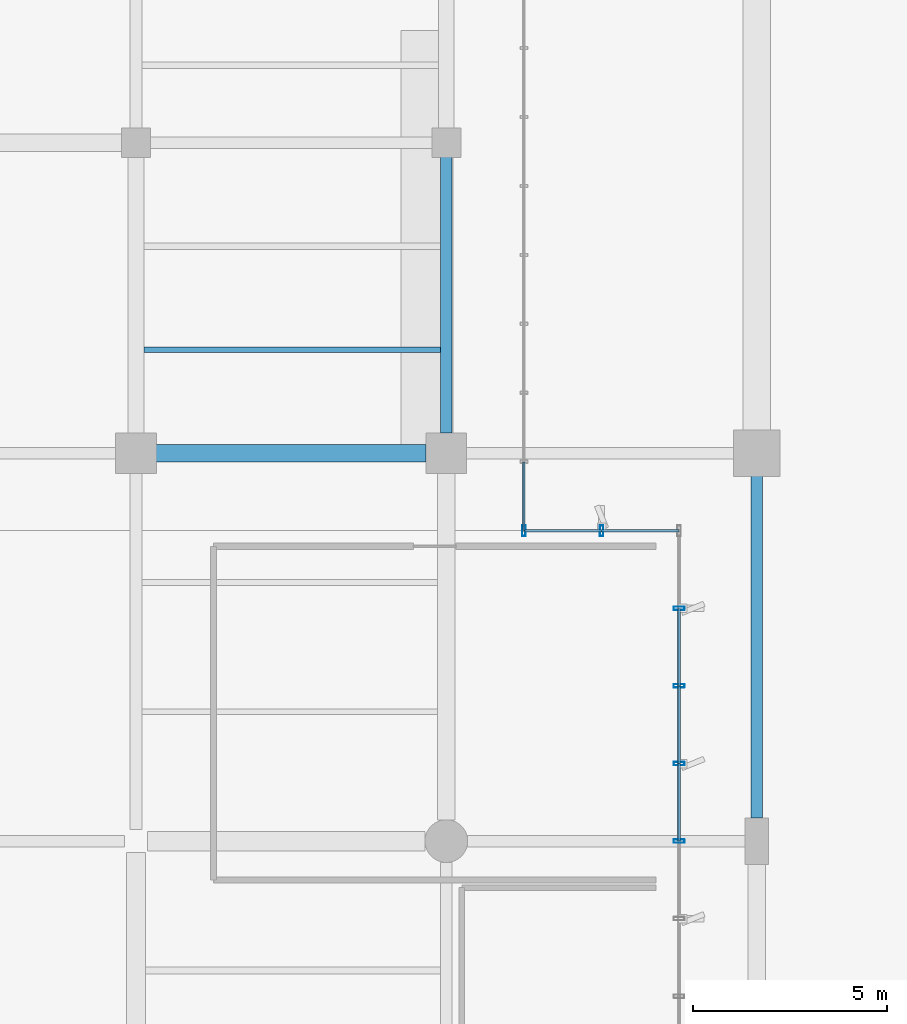
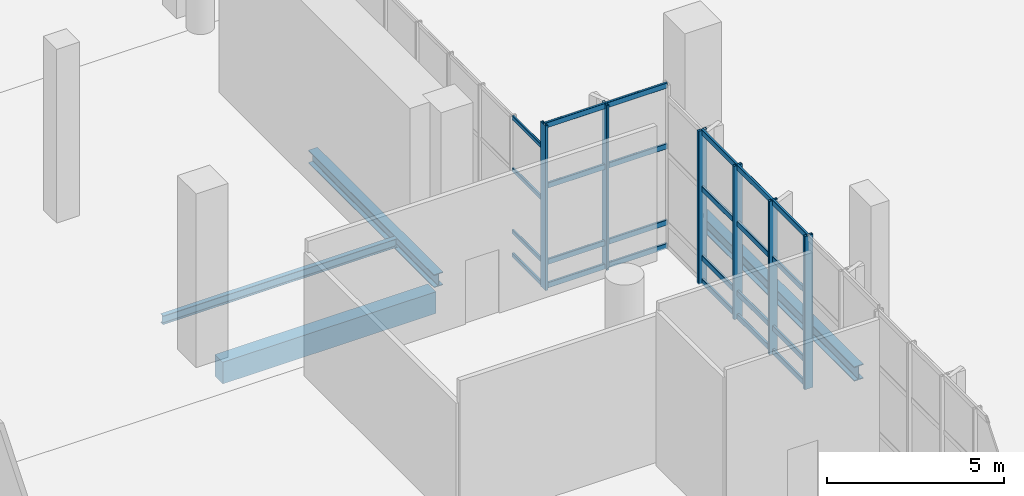
# One storey, part 96 of 163: 30 members, 4 beams, 3 elements without a shape of their own.
"""IFC4 building model written with IfcOpenShell, lengths in metres."""

from ifc_helpers import new_model, si_unit, direction, frame, origin, origin_2d, place, context, subcontext, project, spatial, rectangle, hollow_rectangle, i_section, extrude, material, layer, layer_set, material_profile, profile_set, type_object, element, aggregate, save


model = new_model("IFC4")

# Units and contexts
model_context = context("Model", 3, precision=1e-05, world=origin(), true_north=direction((0.0, 1.0)))
body_context = subcontext(model_context, "Body", "Model", "MODEL_VIEW")
ifc_project = project(units=[si_unit("LENGTHUNIT", "METRE"), si_unit("AREAUNIT", "SQUARE_METRE"), si_unit("VOLUMEUNIT", "CUBIC_METRE"), si_unit("PLANEANGLEUNIT", "RADIAN"), si_unit("MASSUNIT", "GRAM", prefix="KILO")], contexts=[model_context])

# Site, building, storey
site_placement = place(None, origin())
site = spatial("IfcSite", under=ifc_project, at=site_placement, CompositionType="ELEMENT")
building_placement = place(site_placement, origin())
building = spatial("IfcBuilding", under=site, at=building_placement, Name="Khorjan Park Terminus", CompositionType="ELEMENT")
storey_placement = place(building_placement, origin())
storey = spatial("IfcBuildingStorey", under=building, at=storey_placement, Name="L00", CompositionType="ELEMENT", Elevation=0.0)

# Beams
ifc_material_1 = material(Name="Steel S355", Category="steel")
ifc_material_profile_1 = material_profile(ifc_material_1, i_section(OverallWidth=0.3, OverallDepth=0.45, WebThickness=0.014, FlangeThickness=0.026, FilletRadius=0.027, at=origin_2d()), Name="HEB 450")
ifc_profile_set_1 = profile_set([ifc_material_profile_1], Name="Steel S355")
beam_type_1 = type_object("IfcBeamType", Name="BM-HEB450", PredefinedType="BEAM", material=ifc_profile_set_1)
beam_1_placement = place(storey_placement, frame((128.0, 88.52, -0.585), z_axis=(0.0, 1.0, 0.0), x_axis=(-1.0, 0.0, 0.0)))
element("IfcBeam", 1, at=beam_1_placement, inside=storey, type_object=beam_type_1, Name="Primary floor girder SB-B45 (L00)", PredefinedType="BEAM", context=body_context, shape_type="SweptSolid", body=[
    extrude(i_section(OverallWidth=0.3, OverallDepth=0.45, WebThickness=0.014, FlangeThickness=0.026, FilletRadius=0.027, at=origin_2d()), origin(), (0.0, 0.0, 1.0), 7.11),
])
ifc_material_profile_2 = material_profile(ifc_material_1, i_section(OverallWidth=0.3, OverallDepth=0.5, WebThickness=0.0145, FlangeThickness=0.028, FilletRadius=0.027, at=origin_2d()), Name="HEB 500")
ifc_profile_set_2 = profile_set([ifc_material_profile_2], Name="Steel S355")
beam_type_2 = type_object("IfcBeamType", Name="BM-HEB500", PredefinedType="BEAM", material=ifc_profile_set_2)
beam_2_placement = place(storey_placement, frame((136.0, 78.595, -0.57), z_axis=(0.0, 1.0, 0.0), x_axis=(-1.0, 0.0, 0.0)))
element("IfcBeam", 2, at=beam_2_placement, inside=storey, type_object=beam_type_2, Name="Primary floor girder SB-B50 (L00)", PredefinedType="BEAM", context=body_context, shape_type="SweptSolid", body=[
    extrude(i_section(OverallWidth=0.3, OverallDepth=0.5, WebThickness=0.0145, FlangeThickness=0.028, FilletRadius=0.027, at=origin_2d()), origin(), (0.0, 0.0, 1.0), 8.81),
])
ifc_material_2 = material(Name="Concrete C40/50", Category="concrete")
ifc_material_profile_3 = material_profile(ifc_material_2, rectangle(XDim=0.45, YDim=0.75, at=origin_2d()), Name="RC 450x750")
ifc_profile_set_3 = profile_set([ifc_material_profile_3], Name="Concrete C40/50")
beam_type_3 = type_object("IfcBeamType", Name="BM-RC450x750", PredefinedType="BEAM", material=ifc_profile_set_3)
beam_3_placement = place(storey_placement, frame((120.52, 88.0, -0.735), z_axis=(1.0, 0.0, 0.0), x_axis=(0.0, 1.0, 0.0)))
element("IfcBeam", 3, at=beam_3_placement, inside=storey, type_object=beam_type_3, Name="Primary floor girder GB-75 (L00)", PredefinedType="BEAM", context=body_context, shape_type="SweptSolid", body=[
    extrude(rectangle(XDim=0.45, YDim=0.75, at=origin_2d()), origin(), (0.0, 0.0, 1.0), 6.96),
])
ifc_material_profile_4 = material_profile(ifc_material_1, i_section(OverallWidth=0.15, OverallDepth=0.3, WebThickness=0.0071, FlangeThickness=0.0107, FilletRadius=0.015, at=origin_2d()), Name="IPE 300")
ifc_profile_set_4 = profile_set([ifc_material_profile_4], Name="Steel S355")
beam_type_4 = type_object("IfcBeamType", Name="JS-IPE300", PredefinedType="JOIST", material=ifc_profile_set_4)
beam_4_placement = place(storey_placement, frame((120.2, 90.6667, -0.51), z_axis=(1.0, 0.0, 0.0), x_axis=(0.0, 1.0, 0.0)))
element("IfcBeam", 4, at=beam_4_placement, inside=storey, type_object=beam_type_4, Name="Secondary composite floor joist SJ-30 (L00)", PredefinedType="JOIST", context=body_context, shape_type="SweptSolid", body=[
    extrude(i_section(OverallWidth=0.15, OverallDepth=0.3, WebThickness=0.0071, FlangeThickness=0.0107, FilletRadius=0.015, at=origin_2d()), origin(), (0.0, 0.0, 1.0), 7.65),
])

# Curtain wall, members
ifc_material_3 = material(Name="Anodized Bronze Aluminium", Category="aluminium")
ifc_layer_1 = layer(ifc_material_3, 0.22)
ifc_layer_set_1 = layer_set([ifc_layer_1], Name="Anodized Bronze Aluminium")
curtain_wall_type_1 = type_object("IfcCurtainWallType", Name="CW-CONC-A", PredefinedType="NOTDEFINED", material=ifc_layer_set_1)
curtain_wall_1_placement = place(storey_placement, origin())
curtain_wall_1 = element("IfcCurtainWall", 5, at=curtain_wall_1_placement, inside=storey, type_object=curtain_wall_type_1, Name="Unitized curtain wall CW-A (CW-V2-N-L00-08)", PredefinedType="NOTDEFINED")
ifc_material_profile_5 = material_profile(ifc_material_3, hollow_rectangle(XDim=0.09, YDim=0.28, WallThickness=0.006, InnerFilletRadius=0.006, OuterFilletRadius=0.012, at=origin_2d()), Name="ALM 90x280x6")
ifc_profile_set_5 = profile_set([ifc_material_profile_5], Name="Anodized Bronze Aluminium")
member_type_1 = type_object("IfcMemberType", Name="ML-ALM-280", PredefinedType="MULLION", material=ifc_profile_set_5)
member_1_placement = place(storey_placement, frame((132.0, 86.0, -0.035), z_axis=(0.0, 0.0, 1.0), x_axis=(-1.0, 0.0, 0.0)))
member_1 = element("IfcMember", 6, at=member_1_placement, type_object=member_type_1, Name="Curtain-wall mullion ML-28 (CW-V2-N-L00-08-1)", PredefinedType="MULLION", context=body_context, shape_type="SweptSolid", body=[
    extrude(hollow_rectangle(XDim=0.09, YDim=0.28, WallThickness=0.006, InnerFilletRadius=0.006, OuterFilletRadius=0.012, at=origin_2d()), origin(), (0.0, 0.0, 1.0), 5.69),
])
member_2_placement = place(storey_placement, frame((130.0, 86.0, -0.035), z_axis=(0.0, 0.0, 1.0), x_axis=(-1.0, 0.0, 0.0)))
member_2 = element("IfcMember", 7, at=member_2_placement, type_object=member_type_1, Name="Curtain-wall mullion ML-28 (CW-V2-N-L00-08-2)", PredefinedType="MULLION", context=body_context, shape_type="SweptSolid", body=[
    extrude(hollow_rectangle(XDim=0.09, YDim=0.28, WallThickness=0.006, InnerFilletRadius=0.006, OuterFilletRadius=0.012, at=origin_2d()), origin(), (0.0, 0.0, 1.0), 5.69),
])

curtain_wall_2_placement = place(storey_placement, origin())
curtain_wall_2 = element("IfcCurtainWall", 8, at=curtain_wall_2_placement, inside=storey, type_object=curtain_wall_type_1, Name="Unitized curtain wall CW-A (CW-V2-E-L00-04)", PredefinedType="NOTDEFINED")
member_3_placement = place(storey_placement, frame((134.0, 78.0, -0.035), z_axis=(0.0, 0.0, 1.0), x_axis=(0.0, 1.0, 0.0)))
member_3 = element("IfcMember", 9, at=member_3_placement, type_object=member_type_1, Name="Curtain-wall mullion ML-28 (CW-V2-E-L00-04-2)", PredefinedType="MULLION", context=body_context, shape_type="SweptSolid", body=[
    extrude(hollow_rectangle(XDim=0.09, YDim=0.28, WallThickness=0.006, InnerFilletRadius=0.006, OuterFilletRadius=0.012, at=origin_2d()), origin(), (0.0, 0.0, 1.0), 5.295),
])
member_4_placement = place(storey_placement, frame((134.0, 80.0, -0.035), z_axis=(0.0, 0.0, 1.0), x_axis=(0.0, 1.0, 0.0)))
member_4 = element("IfcMember", 10, at=member_4_placement, type_object=member_type_1, Name="Curtain-wall mullion ML-28 (CW-V2-E-L00-04-3)", PredefinedType="MULLION", context=body_context, shape_type="SweptSolid", body=[
    extrude(hollow_rectangle(XDim=0.09, YDim=0.28, WallThickness=0.006, InnerFilletRadius=0.006, OuterFilletRadius=0.012, at=origin_2d()), origin(), (0.0, 0.0, 1.0), 5.295),
])
member_5_placement = place(storey_placement, frame((134.0, 82.0, -0.035), z_axis=(0.0, 0.0, 1.0), x_axis=(0.0, 1.0, 0.0)))
member_5 = element("IfcMember", 11, at=member_5_placement, type_object=member_type_1, Name="Curtain-wall mullion ML-28 (CW-V2-E-L00-04-4)", PredefinedType="MULLION", context=body_context, shape_type="SweptSolid", body=[
    extrude(hollow_rectangle(XDim=0.09, YDim=0.28, WallThickness=0.006, InnerFilletRadius=0.006, OuterFilletRadius=0.012, at=origin_2d()), origin(), (0.0, 0.0, 1.0), 5.295),
])
member_6_placement = place(storey_placement, frame((134.0, 84.0, -0.035), z_axis=(0.0, 0.0, 1.0), x_axis=(0.0, 1.0, 0.0)))
member_6 = element("IfcMember", 12, at=member_6_placement, type_object=member_type_1, Name="Curtain-wall mullion ML-28 (CW-V2-E-L00-04-5)", PredefinedType="MULLION", context=body_context, shape_type="SweptSolid", body=[
    extrude(hollow_rectangle(XDim=0.09, YDim=0.28, WallThickness=0.006, InnerFilletRadius=0.006, OuterFilletRadius=0.012, at=origin_2d()), origin(), (0.0, 0.0, 1.0), 5.295),
])

ifc_layer_2 = layer(ifc_material_3, 0.22)
ifc_layer_set_2 = layer_set([ifc_layer_2], Name="Anodized Bronze Aluminium")
curtain_wall_type_2 = type_object("IfcCurtainWallType", Name="CW-BRG-D", PredefinedType="NOTDEFINED", material=ifc_layer_set_2)
curtain_wall_3_placement = place(storey_placement, origin())
curtain_wall_3 = element("IfcCurtainWall", 13, at=curtain_wall_3_placement, inside=storey, type_object=curtain_wall_type_2, Name="Unitized curtain wall CW-D (CW-NKE-E-L00)", PredefinedType="NOTDEFINED")
ifc_material_profile_6 = material_profile(ifc_material_3, hollow_rectangle(XDim=0.065, YDim=0.14, WallThickness=0.004, InnerFilletRadius=0.004, OuterFilletRadius=0.008, at=origin_2d()), Name="ALT 65x140x4")
ifc_profile_set_6 = profile_set([ifc_material_profile_6], Name="Anodized Bronze Aluminium")
member_type_2 = type_object("IfcMemberType", Name="TR-ALT-140", PredefinedType="USERDEFINED", material=ifc_profile_set_6)
member_7_placement = place(storey_placement, frame((130.0, 86.0, 0.04), z_axis=(0.0, 1.0, 0.0), x_axis=(-1.0, 0.0, 0.0)))
member_7 = element("IfcMember", 14, at=member_7_placement, type_object=member_type_2, Name="Curtain-wall transom TR-14 (CW-NKE-E-L00-0-1)", ObjectType="TRANSOM", PredefinedType="USERDEFINED", context=body_context, shape_type="SweptSolid", body=[
    extrude(hollow_rectangle(XDim=0.065, YDim=0.14, WallThickness=0.004, InnerFilletRadius=0.004, OuterFilletRadius=0.008, at=origin_2d()), origin(), (0.0, 0.0, 1.0), 1.7778),
])
member_8_placement = place(storey_placement, frame((130.0, 86.0, 0.85), z_axis=(0.0, 1.0, 0.0), x_axis=(-1.0, 0.0, 0.0)))
member_8 = element("IfcMember", 15, at=member_8_placement, type_object=member_type_2, Name="Curtain-wall transom TR-14 (CW-NKE-E-L00-0-2)", ObjectType="TRANSOM", PredefinedType="USERDEFINED", context=body_context, shape_type="SweptSolid", body=[
    extrude(hollow_rectangle(XDim=0.065, YDim=0.14, WallThickness=0.004, InnerFilletRadius=0.004, OuterFilletRadius=0.008, at=origin_2d()), origin(), (0.0, 0.0, 1.0), 1.7778),
])
member_9_placement = place(storey_placement, frame((130.0, 86.0, 2.9915), z_axis=(0.0, 1.0, 0.0), x_axis=(-1.0, 0.0, 0.0)))
member_9 = element("IfcMember", 16, at=member_9_placement, type_object=member_type_2, Name="Curtain-wall transom TR-14 (CW-NKE-E-L00-0-3)", ObjectType="TRANSOM", PredefinedType="USERDEFINED", context=body_context, shape_type="SweptSolid", body=[
    extrude(hollow_rectangle(XDim=0.065, YDim=0.14, WallThickness=0.004, InnerFilletRadius=0.004, OuterFilletRadius=0.008, at=origin_2d()), origin(), (0.0, 0.0, 1.0), 1.7778),
])
member_10_placement = place(storey_placement, frame((130.0, 86.0, 4.785), z_axis=(0.0, 1.0, 0.0), x_axis=(-1.0, 0.0, 0.0)))
member_10 = element("IfcMember", 17, at=member_10_placement, type_object=member_type_2, Name="Curtain-wall transom TR-14 (CW-NKE-E-L00-0-4)", ObjectType="TRANSOM", PredefinedType="USERDEFINED", context=body_context, shape_type="SweptSolid", body=[
    extrude(hollow_rectangle(XDim=0.065, YDim=0.14, WallThickness=0.004, InnerFilletRadius=0.004, OuterFilletRadius=0.008, at=origin_2d()), origin(), (0.0, 0.0, 1.0), 1.7778),
])
aggregate(curtain_wall_3, [member_7, member_8, member_9, member_10])

# Member
ifc_material_profile_7 = material_profile(ifc_material_3, hollow_rectangle(XDim=0.075, YDim=0.185, WallThickness=0.005, InnerFilletRadius=0.005, OuterFilletRadius=0.01, at=origin_2d()), Name="ALT 75x185x5")
ifc_profile_set_7 = profile_set([ifc_material_profile_7], Name="Anodized Bronze Aluminium")
member_type_3 = type_object("IfcMemberType", Name="TR-ALT-185", PredefinedType="USERDEFINED", material=ifc_profile_set_7)
member_11_placement = place(storey_placement, frame((134.0, 86.0, 0.04), z_axis=(-1.0, 0.0, 0.0), x_axis=(0.0, -1.0, 0.0)))
member_11 = element("IfcMember", 18, at=member_11_placement, type_object=member_type_3, Name="Curtain-wall transom TR-18 (CW-V2-N-L00-08-0-1)", ObjectType="TRANSOM", PredefinedType="USERDEFINED", context=body_context, shape_type="SweptSolid", body=[
    extrude(hollow_rectangle(XDim=0.075, YDim=0.185, WallThickness=0.005, InnerFilletRadius=0.005, OuterFilletRadius=0.01, at=origin_2d()), origin(), (0.0, 0.0, 1.0), 2.0),
])

member_12_placement = place(storey_placement, frame((134.0, 86.0, 0.85), z_axis=(-1.0, 0.0, 0.0), x_axis=(0.0, -1.0, 0.0)))
member_12 = element("IfcMember", 19, at=member_12_placement, type_object=member_type_3, Name="Curtain-wall transom TR-18 (CW-V2-N-L00-08-0-2)", ObjectType="TRANSOM", PredefinedType="USERDEFINED", context=body_context, shape_type="SweptSolid", body=[
    extrude(hollow_rectangle(XDim=0.075, YDim=0.185, WallThickness=0.005, InnerFilletRadius=0.005, OuterFilletRadius=0.01, at=origin_2d()), origin(), (0.0, 0.0, 1.0), 2.0),
])

member_13_placement = place(storey_placement, frame((134.0, 86.0, 3.4844), z_axis=(-1.0, 0.0, 0.0), x_axis=(0.0, -1.0, 0.0)))
member_13 = element("IfcMember", 20, at=member_13_placement, type_object=member_type_3, Name="Curtain-wall transom TR-18 (CW-V2-N-L00-08-0-3)", ObjectType="TRANSOM", PredefinedType="USERDEFINED", context=body_context, shape_type="SweptSolid", body=[
    extrude(hollow_rectangle(XDim=0.075, YDim=0.185, WallThickness=0.005, InnerFilletRadius=0.005, OuterFilletRadius=0.01, at=origin_2d()), origin(), (0.0, 0.0, 1.0), 2.0),
])

member_14_placement = place(storey_placement, frame((134.0, 86.0, 5.58), z_axis=(-1.0, 0.0, 0.0), x_axis=(0.0, -1.0, 0.0)))
member_14 = element("IfcMember", 21, at=member_14_placement, type_object=member_type_3, Name="Curtain-wall transom TR-18 (CW-V2-N-L00-08-0-4)", ObjectType="TRANSOM", PredefinedType="USERDEFINED", context=body_context, shape_type="SweptSolid", body=[
    extrude(hollow_rectangle(XDim=0.075, YDim=0.185, WallThickness=0.005, InnerFilletRadius=0.005, OuterFilletRadius=0.01, at=origin_2d()), origin(), (0.0, 0.0, 1.0), 2.0),
])

member_15_placement = place(storey_placement, frame((132.0, 86.0, 0.04), z_axis=(-1.0, 0.0, 0.0), x_axis=(0.0, -1.0, 0.0)))
member_15 = element("IfcMember", 22, at=member_15_placement, type_object=member_type_3, Name="Curtain-wall transom TR-18 (CW-V2-N-L00-08-1-1)", ObjectType="TRANSOM", PredefinedType="USERDEFINED", context=body_context, shape_type="SweptSolid", body=[
    extrude(hollow_rectangle(XDim=0.075, YDim=0.185, WallThickness=0.005, InnerFilletRadius=0.005, OuterFilletRadius=0.01, at=origin_2d()), origin(), (0.0, 0.0, 1.0), 2.0),
])

member_16_placement = place(storey_placement, frame((132.0, 86.0, 0.85), z_axis=(-1.0, 0.0, 0.0), x_axis=(0.0, -1.0, 0.0)))
member_16 = element("IfcMember", 23, at=member_16_placement, type_object=member_type_3, Name="Curtain-wall transom TR-18 (CW-V2-N-L00-08-1-2)", ObjectType="TRANSOM", PredefinedType="USERDEFINED", context=body_context, shape_type="SweptSolid", body=[
    extrude(hollow_rectangle(XDim=0.075, YDim=0.185, WallThickness=0.005, InnerFilletRadius=0.005, OuterFilletRadius=0.01, at=origin_2d()), origin(), (0.0, 0.0, 1.0), 2.0),
])

member_17_placement = place(storey_placement, frame((132.0, 86.0, 3.4844), z_axis=(-1.0, 0.0, 0.0), x_axis=(0.0, -1.0, 0.0)))
member_17 = element("IfcMember", 24, at=member_17_placement, type_object=member_type_3, Name="Curtain-wall transom TR-18 (CW-V2-N-L00-08-1-3)", ObjectType="TRANSOM", PredefinedType="USERDEFINED", context=body_context, shape_type="SweptSolid", body=[
    extrude(hollow_rectangle(XDim=0.075, YDim=0.185, WallThickness=0.005, InnerFilletRadius=0.005, OuterFilletRadius=0.01, at=origin_2d()), origin(), (0.0, 0.0, 1.0), 2.0),
])

member_18_placement = place(storey_placement, frame((132.0, 86.0, 5.58), z_axis=(-1.0, 0.0, 0.0), x_axis=(0.0, -1.0, 0.0)))
member_18 = element("IfcMember", 25, at=member_18_placement, type_object=member_type_3, Name="Curtain-wall transom TR-18 (CW-V2-N-L00-08-1-4)", ObjectType="TRANSOM", PredefinedType="USERDEFINED", context=body_context, shape_type="SweptSolid", body=[
    extrude(hollow_rectangle(XDim=0.075, YDim=0.185, WallThickness=0.005, InnerFilletRadius=0.005, OuterFilletRadius=0.01, at=origin_2d()), origin(), (0.0, 0.0, 1.0), 2.0),
])

aggregate(curtain_wall_1, [member_1, member_2, member_11, member_12, member_13, member_14, member_15, member_16, member_17, member_18])

member_19_placement = place(storey_placement, frame((134.0, 78.0, 0.04), z_axis=(0.0, 1.0, 0.0), x_axis=(-1.0, 0.0, 0.0)))
member_19 = element("IfcMember", 26, at=member_19_placement, type_object=member_type_3, Name="Curtain-wall transom TR-18 (CW-V2-E-L00-04-2-1)", ObjectType="TRANSOM", PredefinedType="USERDEFINED", context=body_context, shape_type="SweptSolid", body=[
    extrude(hollow_rectangle(XDim=0.075, YDim=0.185, WallThickness=0.005, InnerFilletRadius=0.005, OuterFilletRadius=0.01, at=origin_2d()), origin(), (0.0, 0.0, 1.0), 2.0),
])

member_20_placement = place(storey_placement, frame((134.0, 78.0, 0.85), z_axis=(0.0, 1.0, 0.0), x_axis=(-1.0, 0.0, 0.0)))
member_20 = element("IfcMember", 27, at=member_20_placement, type_object=member_type_3, Name="Curtain-wall transom TR-18 (CW-V2-E-L00-04-2-2)", ObjectType="TRANSOM", PredefinedType="USERDEFINED", context=body_context, shape_type="SweptSolid", body=[
    extrude(hollow_rectangle(XDim=0.075, YDim=0.185, WallThickness=0.005, InnerFilletRadius=0.005, OuterFilletRadius=0.01, at=origin_2d()), origin(), (0.0, 0.0, 1.0), 2.0),
])

member_21_placement = place(storey_placement, frame((134.0, 78.0, 3.2395), z_axis=(0.0, 1.0, 0.0), x_axis=(-1.0, 0.0, 0.0)))
member_21 = element("IfcMember", 28, at=member_21_placement, type_object=member_type_3, Name="Curtain-wall transom TR-18 (CW-V2-E-L00-04-2-3)", ObjectType="TRANSOM", PredefinedType="USERDEFINED", context=body_context, shape_type="SweptSolid", body=[
    extrude(hollow_rectangle(XDim=0.075, YDim=0.185, WallThickness=0.005, InnerFilletRadius=0.005, OuterFilletRadius=0.01, at=origin_2d()), origin(), (0.0, 0.0, 1.0), 2.0),
])

member_22_placement = place(storey_placement, frame((134.0, 78.0, 5.185), z_axis=(0.0, 1.0, 0.0), x_axis=(-1.0, 0.0, 0.0)))
member_22 = element("IfcMember", 29, at=member_22_placement, type_object=member_type_3, Name="Curtain-wall transom TR-18 (CW-V2-E-L00-04-2-4)", ObjectType="TRANSOM", PredefinedType="USERDEFINED", context=body_context, shape_type="SweptSolid", body=[
    extrude(hollow_rectangle(XDim=0.075, YDim=0.185, WallThickness=0.005, InnerFilletRadius=0.005, OuterFilletRadius=0.01, at=origin_2d()), origin(), (0.0, 0.0, 1.0), 2.0),
])

member_23_placement = place(storey_placement, frame((134.0, 80.0, 0.04), z_axis=(0.0, 1.0, 0.0), x_axis=(-1.0, 0.0, 0.0)))
member_23 = element("IfcMember", 30, at=member_23_placement, type_object=member_type_3, Name="Curtain-wall transom TR-18 (CW-V2-E-L00-04-3-1)", ObjectType="TRANSOM", PredefinedType="USERDEFINED", context=body_context, shape_type="SweptSolid", body=[
    extrude(hollow_rectangle(XDim=0.075, YDim=0.185, WallThickness=0.005, InnerFilletRadius=0.005, OuterFilletRadius=0.01, at=origin_2d()), origin(), (0.0, 0.0, 1.0), 2.0),
])

member_24_placement = place(storey_placement, frame((134.0, 80.0, 0.85), z_axis=(0.0, 1.0, 0.0), x_axis=(-1.0, 0.0, 0.0)))
member_24 = element("IfcMember", 31, at=member_24_placement, type_object=member_type_3, Name="Curtain-wall transom TR-18 (CW-V2-E-L00-04-3-2)", ObjectType="TRANSOM", PredefinedType="USERDEFINED", context=body_context, shape_type="SweptSolid", body=[
    extrude(hollow_rectangle(XDim=0.075, YDim=0.185, WallThickness=0.005, InnerFilletRadius=0.005, OuterFilletRadius=0.01, at=origin_2d()), origin(), (0.0, 0.0, 1.0), 2.0),
])

member_25_placement = place(storey_placement, frame((134.0, 80.0, 3.2395), z_axis=(0.0, 1.0, 0.0), x_axis=(-1.0, 0.0, 0.0)))
member_25 = element("IfcMember", 32, at=member_25_placement, type_object=member_type_3, Name="Curtain-wall transom TR-18 (CW-V2-E-L00-04-3-3)", ObjectType="TRANSOM", PredefinedType="USERDEFINED", context=body_context, shape_type="SweptSolid", body=[
    extrude(hollow_rectangle(XDim=0.075, YDim=0.185, WallThickness=0.005, InnerFilletRadius=0.005, OuterFilletRadius=0.01, at=origin_2d()), origin(), (0.0, 0.0, 1.0), 2.0),
])

member_26_placement = place(storey_placement, frame((134.0, 80.0, 5.185), z_axis=(0.0, 1.0, 0.0), x_axis=(-1.0, 0.0, 0.0)))
member_26 = element("IfcMember", 33, at=member_26_placement, type_object=member_type_3, Name="Curtain-wall transom TR-18 (CW-V2-E-L00-04-3-4)", ObjectType="TRANSOM", PredefinedType="USERDEFINED", context=body_context, shape_type="SweptSolid", body=[
    extrude(hollow_rectangle(XDim=0.075, YDim=0.185, WallThickness=0.005, InnerFilletRadius=0.005, OuterFilletRadius=0.01, at=origin_2d()), origin(), (0.0, 0.0, 1.0), 2.0),
])

member_27_placement = place(storey_placement, frame((134.0, 82.0, 0.04), z_axis=(0.0, 1.0, 0.0), x_axis=(-1.0, 0.0, 0.0)))
member_27 = element("IfcMember", 34, at=member_27_placement, type_object=member_type_3, Name="Curtain-wall transom TR-18 (CW-V2-E-L00-04-4-1)", ObjectType="TRANSOM", PredefinedType="USERDEFINED", context=body_context, shape_type="SweptSolid", body=[
    extrude(hollow_rectangle(XDim=0.075, YDim=0.185, WallThickness=0.005, InnerFilletRadius=0.005, OuterFilletRadius=0.01, at=origin_2d()), origin(), (0.0, 0.0, 1.0), 2.0),
])

member_28_placement = place(storey_placement, frame((134.0, 82.0, 0.85), z_axis=(0.0, 1.0, 0.0), x_axis=(-1.0, 0.0, 0.0)))
member_28 = element("IfcMember", 35, at=member_28_placement, type_object=member_type_3, Name="Curtain-wall transom TR-18 (CW-V2-E-L00-04-4-2)", ObjectType="TRANSOM", PredefinedType="USERDEFINED", context=body_context, shape_type="SweptSolid", body=[
    extrude(hollow_rectangle(XDim=0.075, YDim=0.185, WallThickness=0.005, InnerFilletRadius=0.005, OuterFilletRadius=0.01, at=origin_2d()), origin(), (0.0, 0.0, 1.0), 2.0),
])

member_29_placement = place(storey_placement, frame((134.0, 82.0, 3.2395), z_axis=(0.0, 1.0, 0.0), x_axis=(-1.0, 0.0, 0.0)))
member_29 = element("IfcMember", 36, at=member_29_placement, type_object=member_type_3, Name="Curtain-wall transom TR-18 (CW-V2-E-L00-04-4-3)", ObjectType="TRANSOM", PredefinedType="USERDEFINED", context=body_context, shape_type="SweptSolid", body=[
    extrude(hollow_rectangle(XDim=0.075, YDim=0.185, WallThickness=0.005, InnerFilletRadius=0.005, OuterFilletRadius=0.01, at=origin_2d()), origin(), (0.0, 0.0, 1.0), 2.0),
])

member_30_placement = place(storey_placement, frame((134.0, 82.0, 5.185), z_axis=(0.0, 1.0, 0.0), x_axis=(-1.0, 0.0, 0.0)))
member_30 = element("IfcMember", 37, at=member_30_placement, type_object=member_type_3, Name="Curtain-wall transom TR-18 (CW-V2-E-L00-04-4-4)", ObjectType="TRANSOM", PredefinedType="USERDEFINED", context=body_context, shape_type="SweptSolid", body=[
    extrude(hollow_rectangle(XDim=0.075, YDim=0.185, WallThickness=0.005, InnerFilletRadius=0.005, OuterFilletRadius=0.01, at=origin_2d()), origin(), (0.0, 0.0, 1.0), 2.0),
])

aggregate(curtain_wall_2, [member_3, member_4, member_5, member_6, member_19, member_20, member_21, member_22, member_23, member_24, member_25, member_26, member_27, member_28, member_29, member_30])

save(model, "model.ifc")
